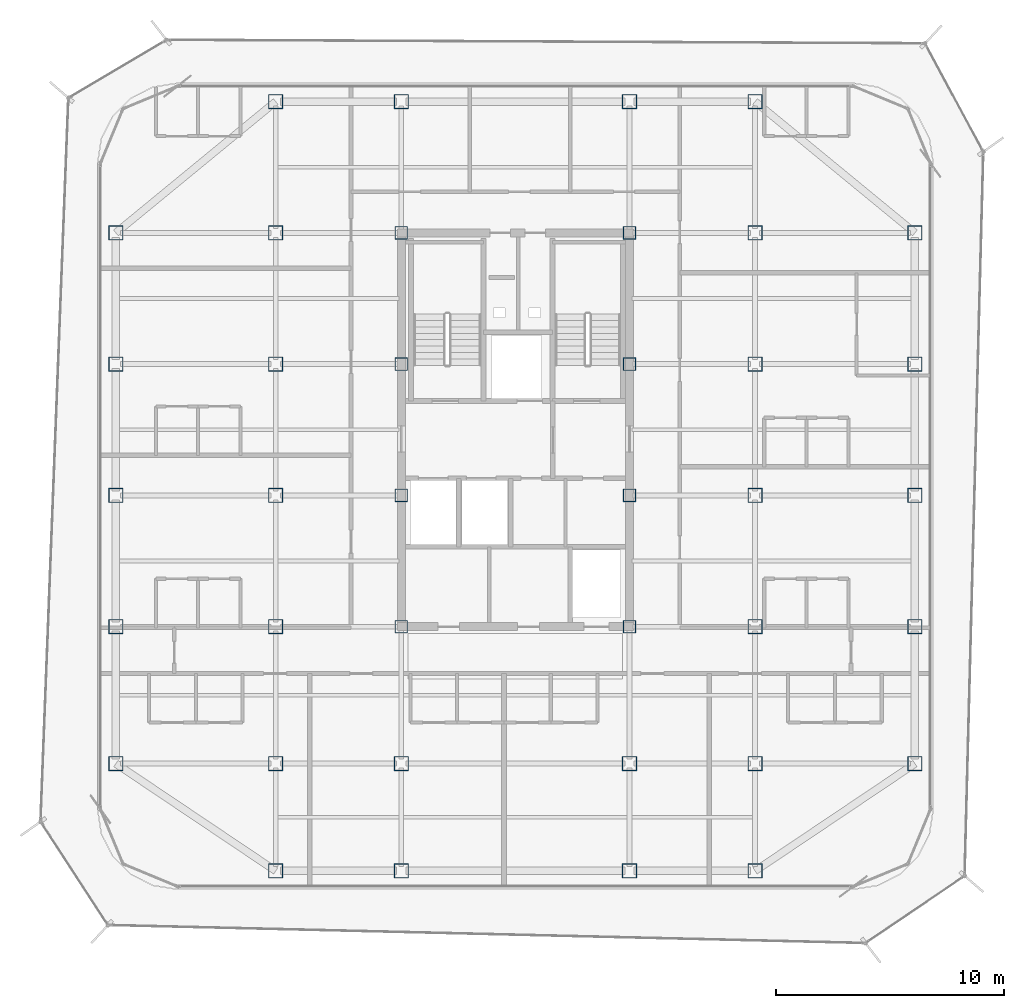
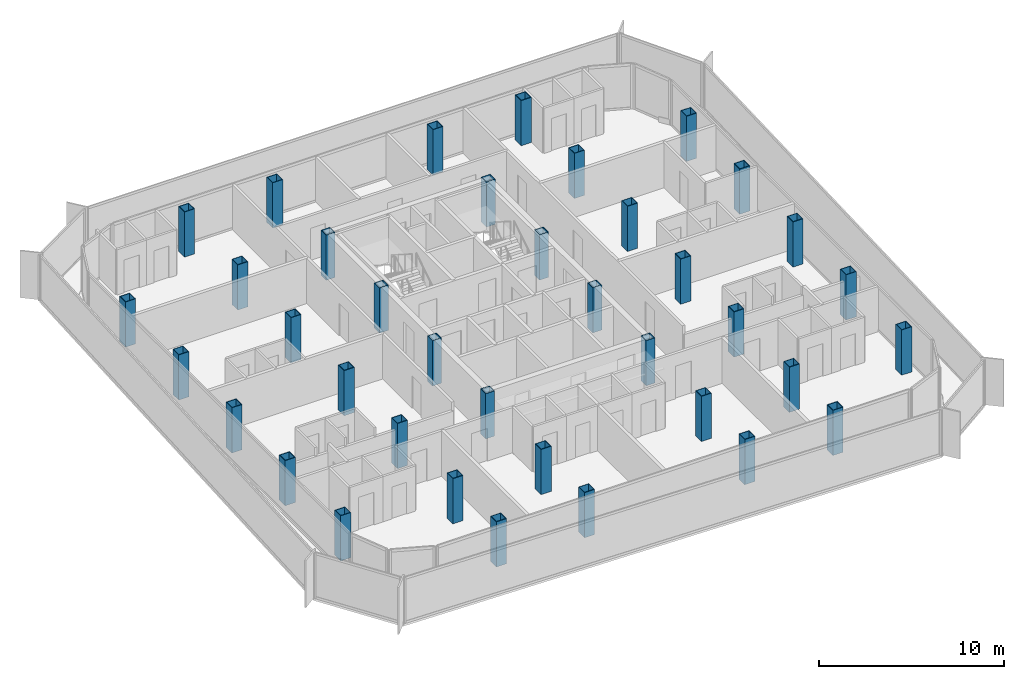
# One storey, part 1 of 16: 38 columns.
"""IFC4 building model written with IfcOpenShell, lengths in metres."""

from ifc_helpers import new_model, si_unit, direction, frame, origin, origin_2d, place, context, subcontext, project, spatial, hollow_rectangle, extrude, source, transform, mapped, material, material_profile, profile_set, type_object, element, save


model = new_model("IFC4")

# Units and contexts
model_context = context("Model", 3, precision=1e-05, world=origin(), true_north=direction((0.0, 1.0)))
body_context = subcontext(model_context, "Body", "Model", "MODEL_VIEW")
ifc_project = project(units=[si_unit("LENGTHUNIT", "METRE"), si_unit("AREAUNIT", "SQUARE_METRE"), si_unit("VOLUMEUNIT", "CUBIC_METRE"), si_unit("PLANEANGLEUNIT", "RADIAN"), si_unit("MASSUNIT", "GRAM", prefix="KILO")], contexts=[model_context])

# Site, building, storey
site_placement = place(None, origin())
site = spatial("IfcSite", under=ifc_project, at=site_placement, CompositionType="ELEMENT")
building_placement = place(site_placement, origin())
building = spatial("IfcBuilding", under=site, at=building_placement, Name="Kolveth Station Tower", CompositionType="ELEMENT")
storey_placement = place(building_placement, frame((0.0, 0.0, 236.10009765625)))
storey = spatial("IfcBuildingStorey", under=building, at=storey_placement, Name="L67", CompositionType="ELEMENT", Elevation=236.10009765625)

# Columns
ifc_material = material(Name="Steel S355", Category="steel")
ifc_material_profile_1 = material_profile(ifc_material, hollow_rectangle(XDim=0.639892578125, YDim=0.639892578125, WallThickness=0.034912109375, at=origin_2d()), Name="BOX640x640x35")
ifc_profile_set_1 = profile_set([ifc_material_profile_1], Name="Steel S355")
column_type_1 = type_object("IfcColumnType", Name="Col_C7", PredefinedType="COLUMN", material=ifc_profile_set_1)
shared_shape_1 = source(origin(), body_context, "Body", "SweptSolid", [
    extrude(hollow_rectangle(XDim=0.639892578125, YDim=0.639892578125, WallThickness=0.034912109375, at=origin_2d()), origin(), (0.0, 0.0, 1.0), 2.97998046875),
])
for number, where, z_axis, x_axis, name in (
    (1, (13.0, 0.800048828125, 0.0), (0.0, 0.0, 1.0), (1.0, 0.0, 0.0), "L67 Tower Column S-X130"),
    (2, (13.0, 34.5, 0.0), (0.0, 0.0, 1.0), (1.0, 0.0, 0.0), "L67 Tower Column N-X130"),
    (3, (18.5, 0.800048828125, 0.0), (0.0, 0.0, 1.0), (1.0, 0.0, 0.0), "L67 Tower Column S-X185"),
    (4, (18.5, 34.5, 0.0), (0.0, 0.0, 1.0), (1.0, 0.0, 0.0), "L67 Tower Column N-X185"),
    (5, (28.5, 0.800048828125, 0.0), (0.0, 0.0, 1.0), (1.0, 0.0, 0.0), "L67 Tower Column S-X285"),
    (6, (28.5, 34.5, 0.0), (0.0, 0.0, 1.0), (1.0, 0.0, 0.0), "L67 Tower Column N-X285"),
    (7, (34.0, 0.800048828125, 0.0), (0.0, 0.0, 1.0), (1.0, 0.0, 0.0), "L67 Tower Column S-X340"),
    (8, (34.0, 34.5, 0.0), (0.0, 0.0, 1.0), (1.0, 0.0, 0.0), "L67 Tower Column N-X340"),
    (9, (6.0, 5.5, 0.0), (0.0, 0.0, 1.0), (1.0, 0.0, 0.0), "L67 Tower Column W-Y55"),
    (10, (41.0, 5.5, 0.0), (0.0, 0.0, 1.0), (1.0, 0.0, 0.0), "L67 Tower Column E-Y55"),
    (11, (6.0, 11.5, 0.0), (0.0, 0.0, 1.0), (1.0, 0.0, 0.0), "L67 Tower Column W-Y115"),
    (12, (41.0, 11.5, 0.0), (0.0, 0.0, 1.0), (1.0, 0.0, 0.0), "L67 Tower Column E-Y115"),
    (13, (6.0, 17.25, 0.0), (0.0, 0.0, 1.0), (1.0, 0.0, 0.0), "L67 Tower Column W-Y172"),
    (14, (41.0, 17.25, 0.0), (0.0, 0.0, 1.0), (1.0, 0.0, 0.0), "L67 Tower Column E-Y172"),
    (15, (6.0, 23.0, 0.0), (0.0, 0.0, 1.0), (1.0, 0.0, 0.0), "L67 Tower Column W-Y230"),
    (16, (41.0, 23.0, 0.0), (0.0, 0.0, 1.0), (1.0, 0.0, 0.0), "L67 Tower Column E-Y230"),
    (17, (6.0, 28.75, 0.0), (0.0, 0.0, 1.0), (1.0, 0.0, 0.0), "L67 Tower Column W-Y287"),
    (18, (41.0, 28.75, 0.0), (0.0, 0.0, 1.0), (1.0, 0.0, 0.0), "L67 Tower Column E-Y287"),
    (19, (13.0, 5.5, 0.0), (0.0, 0.0, 1.0), (1.0, 0.0, 0.0), "L67 Tower Column G-130-55"),
    (20, (13.0, 11.5, 0.0), (0.0, 0.0, 1.0), (1.0, 0.0, 0.0), "L67 Tower Column G-130-115"),
    (21, (13.0, 17.25, 0.0), (0.0, 0.0, 1.0), (1.0, 0.0, 0.0), "L67 Tower Column G-130-172"),
    (22, (13.0, 23.0, 0.0), (0.0, 0.0, 1.0), (1.0, 0.0, 0.0), "L67 Tower Column G-130-230"),
    (23, (13.0, 28.75, 0.0), (0.0, 0.0, 1.0), (1.0, 0.0, 0.0), "L67 Tower Column G-130-287"),
    (24, (18.5, 5.5, 0.0), (0.0, 0.0, 1.0), (1.0, 0.0, 0.0), "L67 Tower Column G-185-55"),
    (25, (28.5, 5.5, 0.0), (0.0, 0.0, 1.0), (1.0, 0.0, 0.0), "L67 Tower Column G-285-55"),
    (26, (34.0, 5.5, 0.0), (0.0, 0.0, 1.0), (1.0, 0.0, 0.0), "L67 Tower Column G-340-55"),
    (27, (34.0, 11.5, 0.0), (0.0, 0.0, 1.0), (1.0, 0.0, 0.0), "L67 Tower Column G-340-115"),
    (28, (34.0, 17.25, 0.0), (0.0, 0.0, 1.0), (1.0, 0.0, 0.0), "L67 Tower Column G-340-172"),
    (29, (34.0, 23.0, 0.0), (0.0, 0.0, 1.0), (1.0, 0.0, 0.0), "L67 Tower Column G-340-230"),
    (30, (34.0, 28.75, 0.0), (0.0, 0.0, 1.0), (1.0, 0.0, 0.0), "L67 Tower Column G-340-287"),
):
    element("IfcColumn", number, at=place(storey_placement, frame(where, z_axis=z_axis, x_axis=x_axis)), inside=storey, type_object=column_type_1, Name=name, PredefinedType="COLUMN", context=body_context, shape_type="MappedRepresentation", body=[
        mapped(shared_shape_1, transform((0.0, 0.0, 0.0), x_axis=(1.0, 0.0, 0.0), y_axis=(0.0, 1.0, 0.0), z_axis=(0.0, 0.0, 1.0), scale=1.0)),
    ])
ifc_material_profile_2 = material_profile(ifc_material, hollow_rectangle(XDim=0.56005859375, YDim=0.56005859375, WallThickness=0.030029296875, at=origin_2d()), Name="BOX560x560x30")
ifc_profile_set_2 = profile_set([ifc_material_profile_2], Name="Steel S355")
column_type_2 = type_object("IfcColumnType", Name="Col_C8", PredefinedType="COLUMN", material=ifc_profile_set_2)
shared_shape_2 = source(origin(), body_context, "Body", "SweptSolid", [
    extrude(hollow_rectangle(XDim=0.56005859375, YDim=0.56005859375, WallThickness=0.030029296875, at=origin_2d()), origin(), (0.0, 0.0, 1.0), 2.97998046875),
])
for number, where, z_axis, x_axis, name in (
    (31, (18.5, 11.5, 0.0), (0.0, 0.0, 1.0), (1.0, 0.0, 0.0), "L67 Tower Column G-185-115"),
    (32, (18.5, 17.25, 0.0), (0.0, 0.0, 1.0), (1.0, 0.0, 0.0), "L67 Tower Column G-185-172"),
    (33, (18.5, 23.0, 0.0), (0.0, 0.0, 1.0), (1.0, 0.0, 0.0), "L67 Tower Column G-185-230"),
    (34, (18.5, 28.75, 0.0), (0.0, 0.0, 1.0), (1.0, 0.0, 0.0), "L67 Tower Column G-185-287"),
    (35, (28.5, 11.5, 0.0), (0.0, 0.0, 1.0), (1.0, 0.0, 0.0), "L67 Tower Column G-285-115"),
    (36, (28.5, 17.25, 0.0), (0.0, 0.0, 1.0), (1.0, 0.0, 0.0), "L67 Tower Column G-285-172"),
    (37, (28.5, 23.0, 0.0), (0.0, 0.0, 1.0), (1.0, 0.0, 0.0), "L67 Tower Column G-285-230"),
    (38, (28.5, 28.75, 0.0), (0.0, 0.0, 1.0), (1.0, 0.0, 0.0), "L67 Tower Column G-285-287"),
):
    element("IfcColumn", number, at=place(storey_placement, frame(where, z_axis=z_axis, x_axis=x_axis)), inside=storey, type_object=column_type_2, Name=name, PredefinedType="COLUMN", context=body_context, shape_type="MappedRepresentation", body=[
        mapped(shared_shape_2, transform((0.0, 0.0, 0.0), x_axis=(1.0, 0.0, 0.0), y_axis=(0.0, 1.0, 0.0), z_axis=(0.0, 0.0, 1.0), scale=1.0)),
    ])

save(model, "model.ifc")
